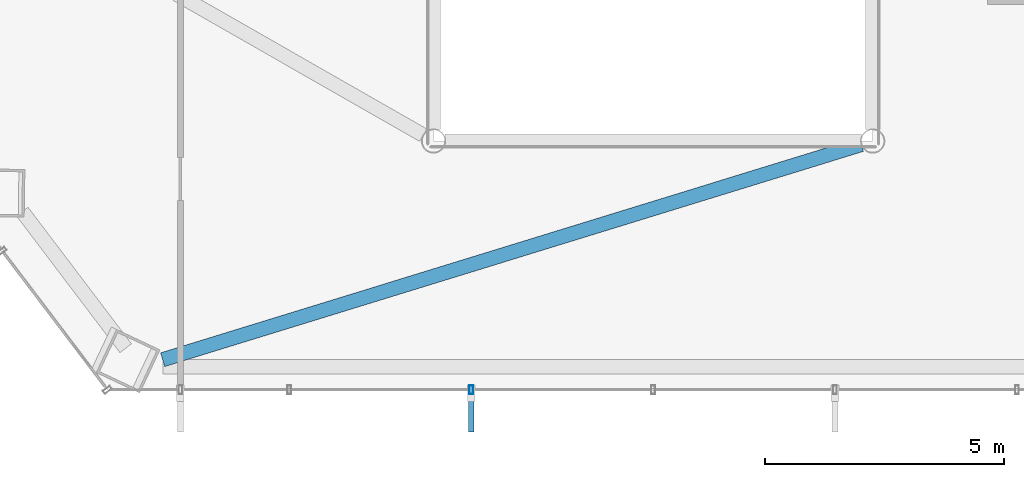
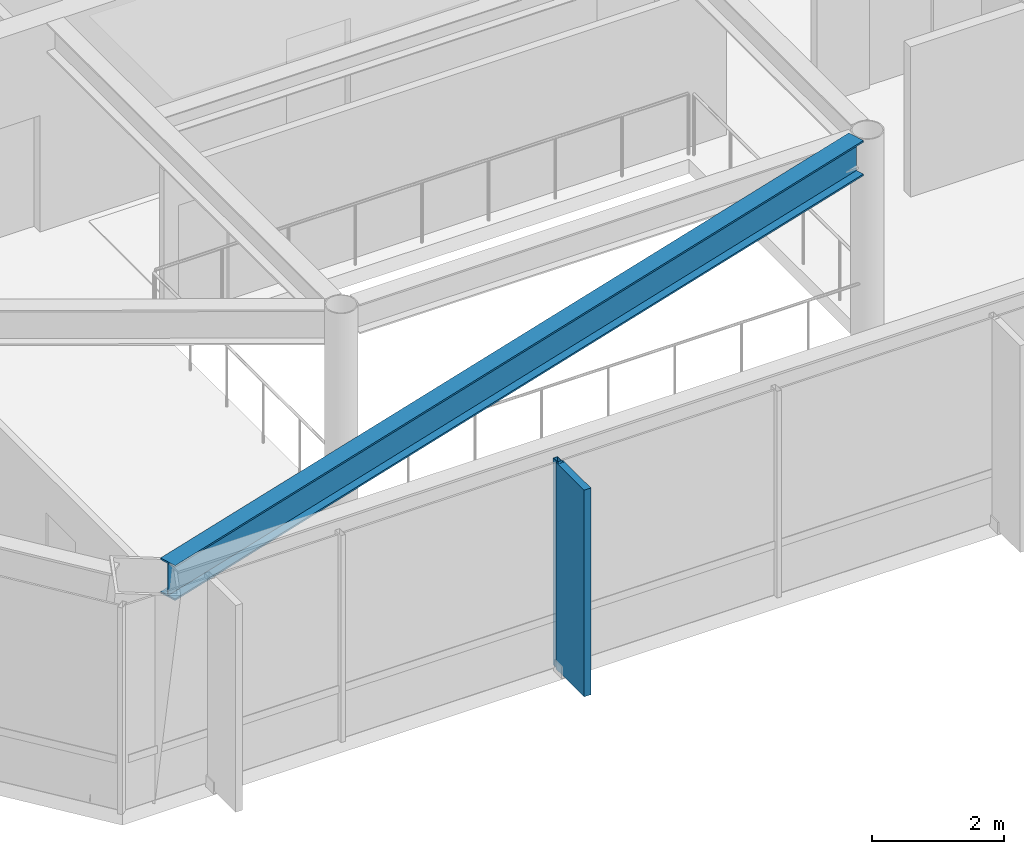
# One storey, part 5 of 26: 2 members, 1 beam, 1 element without a shape of its own.
"""IFC4 building model written with IfcOpenShell, lengths in metres."""

from ifc_helpers import new_model, si_unit, direction, frame, origin, origin_2d, place, context, subcontext, project, spatial, rectangle, hollow_rectangle, i_section, extrude, material, layer, layer_set, material_profile, profile_set, type_object, element, aggregate, save


model = new_model("IFC4")

# Units and contexts
model_context = context("Model", 3, precision=1e-05, world=origin(), true_north=direction((0.0, 1.0)))
body_context = subcontext(model_context, "Body", "Model", "MODEL_VIEW")
ifc_project = project(units=[si_unit("LENGTHUNIT", "METRE"), si_unit("AREAUNIT", "SQUARE_METRE"), si_unit("VOLUMEUNIT", "CUBIC_METRE"), si_unit("PLANEANGLEUNIT", "RADIAN"), si_unit("MASSUNIT", "GRAM", prefix="KILO")], contexts=[model_context])

# Site, building, storey
site_placement = place(None, origin())
site = spatial("IfcSite", under=ifc_project, at=site_placement, CompositionType="ELEMENT")
building_placement = place(site_placement, origin())
building = spatial("IfcBuilding", under=site, at=building_placement, Name="Zarrinselat Tower", CompositionType="ELEMENT")
storey_placement = place(building_placement, frame((0.0, 0.0, 35.699951171875)))
storey = spatial("IfcBuildingStorey", under=building, at=storey_placement, Name="L08", CompositionType="ELEMENT", Elevation=35.699951171875)

# Beam
ifc_material_1 = material(Name="Steel S355J2", Category="steel")
ifc_material_profile_1 = material_profile(ifc_material_1, i_section(OverallWidth=0.300048828125, OverallDepth=0.64990234375, WebThickness=0.01611328125, FlangeThickness=0.031005859375, at=origin_2d()), Name="HEB 650")
ifc_profile_set_1 = profile_set([ifc_material_profile_1], Name="Steel S355J2")
beam_type = type_object("IfcBeamType", Name="BM-HEB650", PredefinedType="BEAM", material=ifc_profile_set_1)
beam_placement = place(storey_placement, frame((28.128173828125, 19.820556640625, 3.4951171875), z_axis=(0.95571554885, 0.294292014308, 0.0), x_axis=(-0.294292014308, 0.95571554885, 0.0)))
element("IfcBeam", 1, at=beam_placement, inside=storey, type_object=beam_type, Name="L08 Radial Primary Girder RG10", PredefinedType="BEAM", context=body_context, shape_type="SweptSolid", body=[
    extrude(i_section(OverallWidth=0.300048828125, OverallDepth=0.64990234375, WebThickness=0.01611328125, FlangeThickness=0.031005859375, at=origin_2d()), origin(), (0.0, 0.0, 1.0), 15.310791015625),
])

# Curtain wall, members
ifc_material_2 = material(Name="Extruded Aluminium Alloy EN AW-6063 T6", Category="aluminium")
ifc_layer = layer(ifc_material_2, 0.18505859375)
ifc_layer_set = layer_set([ifc_layer], Name="Extruded Aluminium Alloy EN AW-6063 T6")
curtain_wall_type = type_object("IfcCurtainWallType", Name="CWS-OFF", PredefinedType="NOTDEFINED", material=ifc_layer_set)
curtain_wall_placement = place(storey_placement, origin())
curtain_wall = element("IfcCurtainWall", 2, at=curtain_wall_placement, inside=storey, type_object=curtain_wall_type, Name="L08 Unitised Curtain Wall CW-L08-E04", PredefinedType="NOTDEFINED")
ifc_material_3 = material(Name="Extruded Aluminium Alloy EN AW-6063 T6", Category="aluminium")
ifc_material_profile_2 = material_profile(ifc_material_3, hollow_rectangle(XDim=0.080078125, YDim=0.179931640625, WallThickness=0.0048828125, at=origin_2d()), Name="RHS 180x80x5")
ifc_profile_set_2 = profile_set([ifc_material_profile_2], Name="Extruded Aluminium Alloy EN AW-6063 T6")
member_type_1 = type_object("IfcMemberType", Name="MEM-CW-MUL", PredefinedType="MULLION", material=ifc_profile_set_2)
member_1_placement = place(storey_placement, frame((34.589599609375, 19.1904296875, 0.0), z_axis=(0.0, 0.0, 1.0), x_axis=(1.0, 0.0, 0.0)))
member_1 = element("IfcMember", 3, at=member_1_placement, type_object=member_type_1, Name="CW-L08-E04 Mullion 3", PredefinedType="MULLION", context=body_context, shape_type="SweptSolid", body=[
    extrude(hollow_rectangle(XDim=0.080078125, YDim=0.179931640625, WallThickness=0.0048828125, at=origin_2d()), origin(), (0.0, 0.0, 1.0), 3.820068359375),
])
ifc_material_4 = material(Name="Honed Cream Travertine Stone", Category="masonry")
ifc_material_profile_3 = material_profile(ifc_material_4, rectangle(XDim=0.1201171875, YDim=0.85009765625, at=origin_2d()), Name="FIN 850x120")
ifc_profile_set_3 = profile_set([ifc_material_profile_3], Name="Honed Cream Travertine Stone")
member_type_2 = type_object("IfcMemberType", Name="MEM-STONE-FIN", PredefinedType="USERDEFINED", material=ifc_profile_set_3)
member_2_placement = place(storey_placement, frame((34.589599609375, 18.73046875, 0.0), z_axis=(0.0, 0.0, 1.0), x_axis=(-1.0, 0.0, 0.0)))
member_2 = element("IfcMember", 4, at=member_2_placement, type_object=member_type_2, Name="L08 Stone Shading Fin CW-L08-E04-03", ObjectType="FIN", PredefinedType="USERDEFINED", context=body_context, shape_type="SweptSolid", body=[
    extrude(rectangle(XDim=0.1201171875, YDim=0.85009765625, at=origin_2d()), origin(), (0.0, 0.0, 1.0), 3.820068359375),
])
aggregate(curtain_wall, [member_1, member_2])

save(model, "model.ifc")
